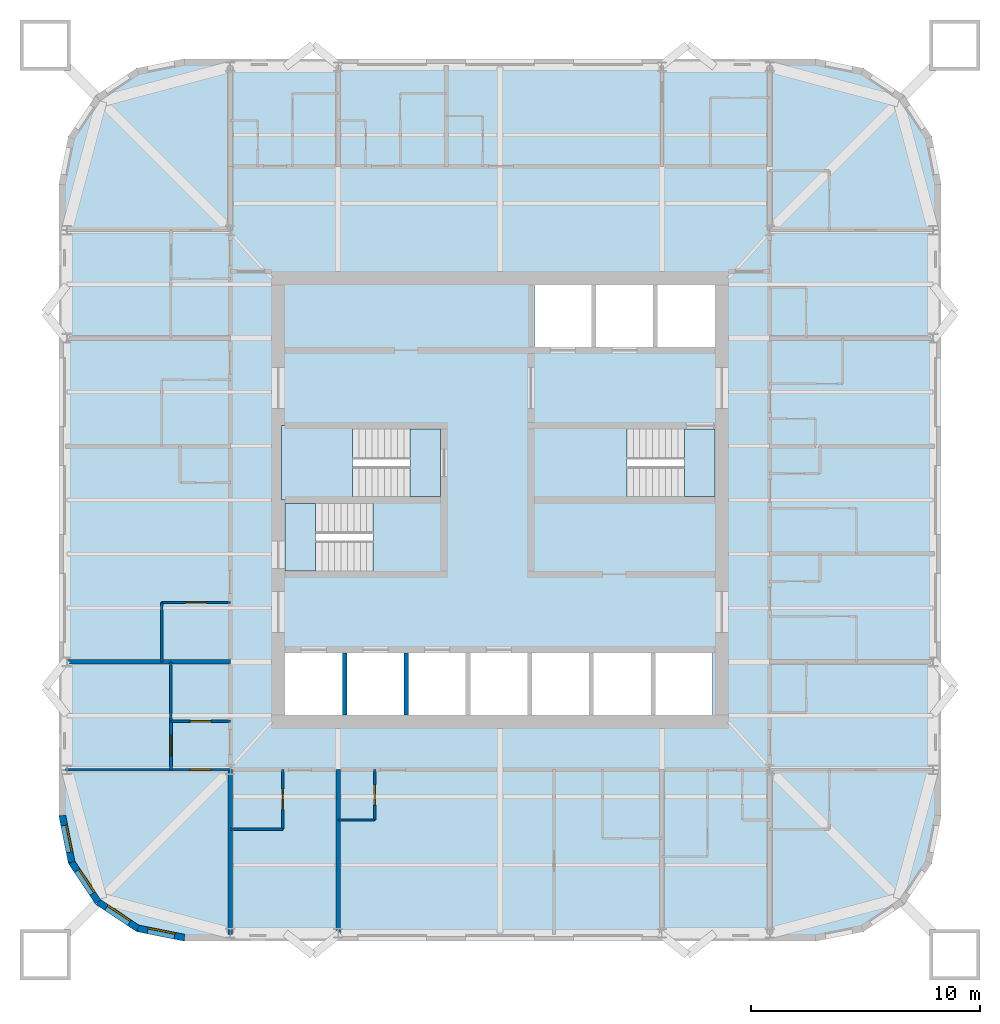
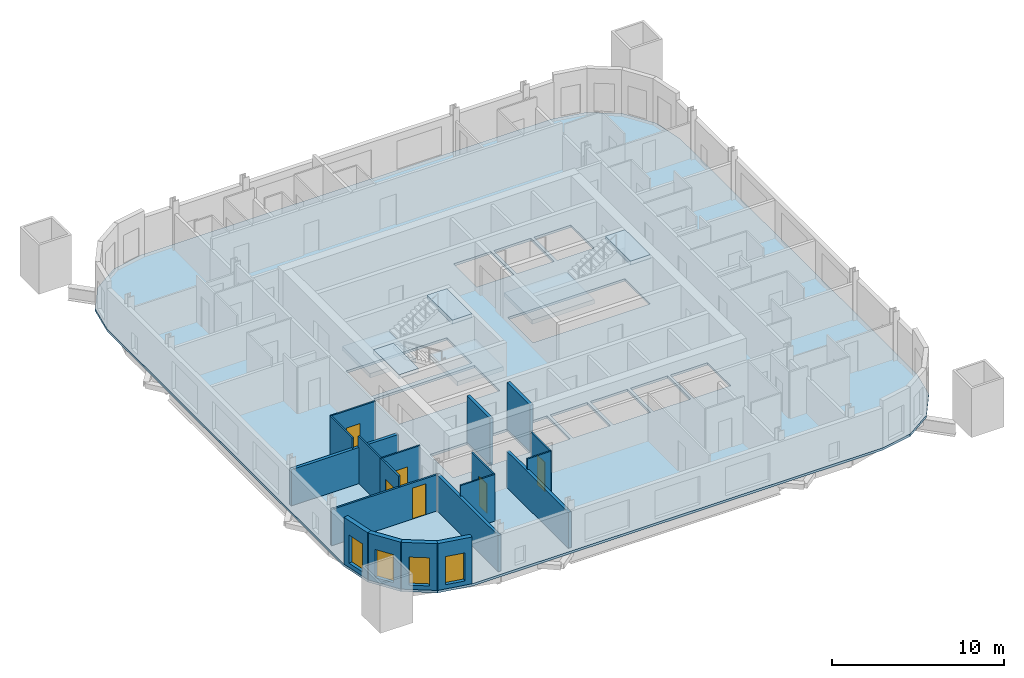
# One storey, part 2 of 9: 19 walls, 7 slabs, 6 doors, 4 windows, 10 openings, 3 elements without a shape of their own.
"""IFC4 building model written with IfcOpenShell, lengths in metres."""

from ifc_helpers import new_model, si_unit, direction, frame, frame_2d, origin, place, context, subcontext, project, spatial, polyline, rectangle, outline, extrude, material, layer, layer_set, type_object, element, fill, aggregate, save


model = new_model("IFC4")

# Units and contexts
model_context = context("Model", 3, precision=1e-05, world=origin(), true_north=direction((0.0, 1.0)))
body_context = subcontext(model_context, "Body", "Model", "MODEL_VIEW")
ifc_project = project(units=[si_unit("LENGTHUNIT", "METRE"), si_unit("AREAUNIT", "SQUARE_METRE"), si_unit("VOLUMEUNIT", "CUBIC_METRE"), si_unit("PLANEANGLEUNIT", "RADIAN"), si_unit("MASSUNIT", "GRAM", prefix="KILO")], contexts=[model_context])

# Site, building, storey
site_placement = place(None, origin())
site = spatial("IfcSite", under=ifc_project, at=site_placement, CompositionType="ELEMENT")
building_placement = place(site_placement, origin())
building = spatial("IfcBuilding", under=site, at=building_placement, Name="Turquesa Mirador Hotel Tower", CompositionType="ELEMENT")
storey_placement = place(building_placement, frame((0.0, 0.0, 203.800048828125)))
storey = spatial("IfcBuildingStorey", under=building, at=storey_placement, Name="L55", CompositionType="ELEMENT", Elevation=203.800048828125)

# Slab
ifc_material_1 = material(Name="Concrete C28/35", Category="concrete")
ifc_layer_1 = layer(ifc_material_1, 0.169921875)
ifc_layer_set_1 = layer_set([ifc_layer_1], Name="COMPOSITE FLOOR SLAB 170")
slab_type_1 = type_object("IfcSlabType", Name="COMPOSITE FLOOR SLAB 170", PredefinedType="FLOOR", material=ifc_layer_set_1)
slab_1_placement = place(storey_placement, frame((0.0, 0.0, -0.170166015625)))
element("IfcSlab", 1, at=slab_1_placement, inside=storey, type_object=slab_type_1, Name="Floor slab L55", PredefinedType="FLOOR", context=body_context, shape_type="SweptSolid", body=[
    extrude(outline(polyline([(68.800048828125, 25.699951171875), (70.90478515625, 26.11865234375), (72.689208984375, 27.310791015625), (73.88134765625, 29.09521484375), (74.300048828125, 31.199951171875), (74.300048828125, 58.800048828125), (73.88134765625, 60.90478515625), (72.689208984375, 62.689208984375), (70.90478515625, 63.88134765625), (68.800048828125, 64.300048828125), (41.199951171875, 64.300048828125), (39.09521484375, 63.88134765625), (37.310791015625, 62.689208984375), (36.11865234375, 60.90478515625), (35.699951171875, 58.800048828125), (35.699951171875, 31.199951171875), (36.11865234375, 29.09521484375), (37.310791015625, 27.310791015625), (39.09521484375, 26.11865234375), (41.199951171875, 25.699951171875), (68.800048828125, 25.699951171875)]), holes=[polyline([(56.5, 51.699951171875), (59.0, 51.699951171875), (59.0, 54.39990234375), (56.5, 54.39990234375), (56.5, 51.699951171875)]), polyline([(59.199951171875, 51.699951171875), (61.699951171875, 51.699951171875), (61.699951171875, 54.39990234375), (59.199951171875, 54.39990234375), (59.199951171875, 51.699951171875)]), polyline([(45.60009765625, 35.60009765625), (48.10009765625, 35.60009765625), (48.10009765625, 38.300048828125), (45.60009765625, 38.300048828125), (45.60009765625, 35.60009765625)]), polyline([(48.300048828125, 35.60009765625), (50.800048828125, 35.60009765625), (50.800048828125, 38.300048828125), (48.300048828125, 38.300048828125), (48.300048828125, 35.60009765625)]), polyline([(51.0, 35.60009765625), (53.5, 35.60009765625), (53.5, 38.300048828125), (51.0, 38.300048828125), (51.0, 35.60009765625)]), polyline([(53.699951171875, 35.60009765625), (56.199951171875, 35.60009765625), (56.199951171875, 38.300048828125), (53.699951171875, 38.300048828125), (53.699951171875, 35.60009765625)]), polyline([(56.39990234375, 35.60009765625), (58.89990234375, 35.60009765625), (58.89990234375, 38.300048828125), (56.39990234375, 38.300048828125), (56.39990234375, 35.60009765625)]), polyline([(59.10009765625, 35.60009765625), (61.60009765625, 35.60009765625), (61.60009765625, 38.300048828125), (59.10009765625, 38.300048828125), (59.10009765625, 35.60009765625)]), polyline([(61.800048828125, 35.60009765625), (64.300048828125, 35.60009765625), (64.300048828125, 38.300048828125), (61.800048828125, 38.300048828125), (61.800048828125, 35.60009765625)]), polyline([(45.60009765625, 45.14990234375), (52.39990234375, 45.14990234375), (52.39990234375, 48.10009765625), (45.60009765625, 48.10009765625), (45.60009765625, 45.14990234375)]), polyline([(45.60009765625, 41.89990234375), (52.39990234375, 41.89990234375), (52.39990234375, 44.85009765625), (45.60009765625, 44.85009765625), (45.60009765625, 41.89990234375)]), polyline([(56.5, 45.14990234375), (64.39990234375, 45.14990234375), (64.39990234375, 48.10009765625), (56.5, 48.10009765625), (56.5, 45.14990234375)]), polyline([(61.89990234375, 51.699951171875), (64.39990234375, 51.699951171875), (64.39990234375, 54.39990234375), (61.89990234375, 54.39990234375), (61.89990234375, 51.699951171875)])]), origin(), (0.0, 0.0, 1.0), 0.170166015625),
])

# Stair, slabs
ifc_material_2 = material(Name="Concrete C35/45", Category="concrete")
stair_type = type_object("IfcStairType", Name="ESCAPE STAIR CORE", PredefinedType="HALF_TURN_STAIR", material=ifc_material_2)
stair_1_placement = place(storey_placement, origin())
stair_1 = element("IfcStair", 2, at=stair_1_placement, inside=storey, type_object=stair_type, Name="Stair ST1 L55 to L56", PredefinedType="HALF_TURN_STAIR")
ifc_material_3 = material(Name="Concrete C35/45", Category="concrete")
ifc_layer_2 = layer(ifc_material_3, 0.300048828125)
ifc_layer_set_2 = layer_set([ifc_layer_2], Name="STAIR LANDING 300")
slab_type_2 = type_object("IfcSlabType", Name="STAIR LANDING 300", PredefinedType="LANDING", material=ifc_layer_set_2)
slab_2_placement = place(storey_placement, frame((0.0, 0.0, 1.449951171875)))
slab_2 = element("IfcSlab", 3, at=slab_2_placement, type_object=slab_type_2, Name="ST1 landing 1", PredefinedType="LANDING", context=body_context, shape_type="SweptSolid", body=[
    extrude(outline(polyline([(45.449951171875, 45.0), (48.550048828125, 45.0), (48.550048828125, 48.25), (45.449951171875, 48.25), (45.449951171875, 45.0)])), origin(), (0.0, 0.0, 1.0), 0.300048828125),
])
slab_3_placement = place(storey_placement, frame((0.0, 0.0, 3.199951171875)))
slab_3 = element("IfcSlab", 4, at=slab_3_placement, type_object=slab_type_2, Name="ST1 landing 2", PredefinedType="LANDING", context=body_context, shape_type="SweptSolid", body=[
    extrude(outline(polyline([(51.070068359375, 45.14990234375), (52.39990234375, 45.14990234375), (52.39990234375, 48.10009765625), (51.070068359375, 48.10009765625), (51.070068359375, 45.14990234375)])), origin(), (0.0, 0.0, 1.0), 0.300048828125),
])
aggregate(stair_1, [slab_2, slab_3])

stair_2_placement = place(storey_placement, origin())
stair_2 = element("IfcStair", 5, at=stair_2_placement, inside=storey, type_object=stair_type, Name="Stair ST2 L55 to L56", PredefinedType="HALF_TURN_STAIR")
slab_4_placement = place(storey_placement, frame((0.0, 0.0, 1.449951171875)))
slab_4 = element("IfcSlab", 6, at=slab_4_placement, type_object=slab_type_2, Name="ST2 landing 1", PredefinedType="LANDING", context=body_context, shape_type="SweptSolid", body=[
    extrude(outline(polyline([(52.550048828125, 45.0), (49.449951171875, 45.0), (49.449951171875, 41.75), (52.550048828125, 41.75), (52.550048828125, 45.0)])), origin(), (0.0, 0.0, 1.0), 0.300048828125),
])
slab_5_placement = place(storey_placement, frame((0.0, 0.0, 3.199951171875)))
slab_5 = element("IfcSlab", 7, at=slab_5_placement, type_object=slab_type_2, Name="ST2 landing 2", PredefinedType="LANDING", context=body_context, shape_type="SweptSolid", body=[
    extrude(outline(polyline([(46.929931640625, 44.85009765625), (45.60009765625, 44.85009765625), (45.60009765625, 41.89990234375), (46.929931640625, 41.89990234375), (46.929931640625, 44.85009765625)])), origin(), (0.0, 0.0, 1.0), 0.300048828125),
])
aggregate(stair_2, [slab_4, slab_5])

stair_3_placement = place(storey_placement, origin())
stair_3 = element("IfcStair", 8, at=stair_3_placement, inside=storey, type_object=stair_type, Name="Stair ST3 L55 to L56", PredefinedType="HALF_TURN_STAIR")
slab_6_placement = place(storey_placement, frame((0.0, 0.0, 1.449951171875)))
slab_6 = element("IfcSlab", 9, at=slab_6_placement, type_object=slab_type_2, Name="ST3 landing 1", PredefinedType="LANDING", context=body_context, shape_type="SweptSolid", body=[
    extrude(outline(polyline([(56.35009765625, 45.0), (60.550048828125, 45.0), (60.550048828125, 48.25), (56.35009765625, 48.25), (56.35009765625, 45.0)])), origin(), (0.0, 0.0, 1.0), 0.300048828125),
])
slab_7_placement = place(storey_placement, frame((0.0, 0.0, 3.199951171875)))
slab_7 = element("IfcSlab", 10, at=slab_7_placement, type_object=slab_type_2, Name="ST3 landing 2", PredefinedType="LANDING", context=body_context, shape_type="SweptSolid", body=[
    extrude(outline(polyline([(63.070068359375, 45.14990234375), (64.39990234375, 45.14990234375), (64.39990234375, 48.10009765625), (63.070068359375, 48.10009765625), (63.070068359375, 45.14990234375)])), origin(), (0.0, 0.0, 1.0), 0.300048828125),
])
aggregate(stair_3, [slab_6, slab_7])

# Walls
ifc_material_4 = material(Name="Gypsum board on steel studs", Category="steel")
ifc_layer_3 = layer(ifc_material_4, 0.10009765625)
ifc_layer_set_3 = layer_set([ifc_layer_3], Name="BATHROOM WALL 100")
wall_type_1 = type_object("IfcWallType", Name="BATHROOM WALL 100", PredefinedType="PARTITIONING", material=ifc_layer_set_3)
wall_1_placement = place(storey_placement, frame((47.919921875, 31.0, 0.0), z_axis=(0.0, 0.0, 1.0), x_axis=(1.0, 0.0, 0.0)))
element("IfcWall", 11, at=wall_1_placement, inside=storey, type_object=wall_type_1, Name="Partition L55 006", PredefinedType="PARTITIONING", context=body_context, shape_type="SweptSolid", body=[
    extrude(rectangle(XDim=1.60009765625, YDim=0.10009765625, at=frame_2d((0.800048828125, 0.0))), origin(), (0.0, 0.0, 1.0), 3.329833984375),
])
wall_2_placement = place(storey_placement, frame((43.199951171875, 30.60009765625, 0.0), z_axis=(0.0, 0.0, 1.0), x_axis=(1.0, 0.0, 0.0)))
element("IfcWall", 12, at=wall_2_placement, inside=storey, type_object=wall_type_1, Name="Partition L55 008", PredefinedType="PARTITIONING", context=body_context, shape_type="SweptSolid", body=[
    extrude(rectangle(XDim=2.300048828125, YDim=0.10009765625, at=frame_2d((1.14990234375, 0.0))), origin(), (0.0, 0.0, 1.0), 3.329833984375),
])

# Wall, opening, door
wall_3_placement = place(storey_placement, frame((40.199951171875, 40.52001953125, 0.0), z_axis=(0.0, 0.0, 1.0), x_axis=(1.0, 0.0, 0.0)))
wall_3 = element("IfcWall", 13, at=wall_3_placement, inside=storey, type_object=wall_type_1, Name="Partition L55 014", PredefinedType="PARTITIONING", context=body_context, shape_type="SweptSolid", body=[
    extrude(rectangle(XDim=3.0, YDim=0.10009765625, at=frame_2d((1.5, 0.0))), origin(), (0.0, 0.0, 1.0), 3.329833984375),
])
opening_1_placement = place(wall_3_placement, frame((1.050048828125, 0.0, 0.0)))
opening_1 = element("IfcOpeningElement", 14, at=opening_1_placement, cuts=wall_3, Name="Opening D02", PredefinedType="OPENING", context=body_context, shape_type="SweptSolid", body=[
    extrude(rectangle(XDim=0.89990234375, YDim=2.10009765625, at=frame_2d((0.449951171875, 1.050048828125))), frame((0.0, 0.06005859375, 0.0), z_axis=(0.0, -1.0, 0.0), x_axis=(1.0, 0.0, 0.0)), (0.0, 0.0, 1.0), 0.1201171875),
])
ifc_material_5 = material(Name="Timber veneered door", Category="wood")
door_type_1 = type_object("IfcDoorType", Name="DOOR 900X2100 EN-SUITE", OperationType="SINGLE_SWING_RIGHT", PredefinedType="DOOR", material=ifc_material_5)
door_1_placement = place(opening_1_placement, origin())
door_1 = element("IfcDoor", 15, at=door_1_placement, inside=storey, type_object=door_type_1, Name="Door 5510B", OperationType="SINGLE_SWING_RIGHT", OverallHeight=2.10009765625, OverallWidth=0.89990234375, PredefinedType="DOOR", context=body_context, shape_type="SweptSolid", body=[
    extrude(rectangle(XDim=0.89990234375, YDim=2.10009765625, at=frame_2d((0.449951171875, 1.050048828125))), frame((0.0, 0.02490234375, 0.0), z_axis=(0.0, -1.0, 0.0), x_axis=(1.0, 0.0, 0.0)), (0.0, 0.0, 1.0), 0.050048828125),
])
fill(opening_1, door_1)

wall_4_placement = place(storey_placement, frame((40.60009765625, 35.320068359375, 0.0), z_axis=(0.0, 0.0, 1.0), x_axis=(1.0, 0.0, 0.0)))
wall_4 = element("IfcWall", 16, at=wall_4_placement, inside=storey, type_object=wall_type_1, Name="Partition L55 019", PredefinedType="PARTITIONING", context=body_context, shape_type="SweptSolid", body=[
    extrude(rectangle(XDim=2.599853515625, YDim=0.10009765625, at=frame_2d((1.2998046875, 0.0))), origin(), (0.0, 0.0, 1.0), 3.329833984375),
])
opening_2_placement = place(wall_4_placement, frame((0.85009765625, 0.0, 0.0)))
opening_2 = element("IfcOpeningElement", 17, at=opening_2_placement, cuts=wall_4, Name="Opening D02", PredefinedType="OPENING", context=body_context, shape_type="SweptSolid", body=[
    extrude(rectangle(XDim=0.89990234375, YDim=2.10009765625, at=frame_2d((0.449951171875, 1.050048828125))), frame((0.0, 0.06005859375, 0.0), z_axis=(0.0, -1.0, 0.0), x_axis=(1.0, 0.0, 0.0)), (0.0, 0.0, 1.0), 0.1201171875),
])
door_2_placement = place(opening_2_placement, origin())
door_2 = element("IfcDoor", 18, at=door_2_placement, inside=storey, type_object=door_type_1, Name="Door 5514B", OperationType="SINGLE_SWING_RIGHT", OverallHeight=2.10009765625, OverallWidth=0.89990234375, PredefinedType="DOOR", context=body_context, shape_type="SweptSolid", body=[
    extrude(rectangle(XDim=0.89990234375, YDim=2.10009765625, at=frame_2d((0.449951171875, 1.050048828125))), frame((0.0, 0.02490234375, 0.0), z_axis=(0.0, -1.0, 0.0), x_axis=(1.0, 0.0, 0.0)), (0.0, 0.0, 1.0), 0.050048828125),
])
fill(opening_2, door_2)

# Walls
wall_5_placement = place(storey_placement, frame((40.60009765625, 35.320068359375, 0.0), z_axis=(0.0, 0.0, 1.0), x_axis=(0.0, 1.0, 0.0)))
element("IfcWall", 19, at=wall_5_placement, inside=storey, type_object=wall_type_1, Name="Partition L55 051", PredefinedType="PARTITIONING", context=body_context, shape_type="SweptSolid", body=[
    extrude(rectangle(XDim=2.599853515625, YDim=0.10009765625, at=frame_2d((1.2998046875, 0.0))), origin(), (0.0, 0.0, 1.0), 3.329833984375),
])
wall_6_placement = place(storey_placement, frame((40.199951171875, 37.919921875, 0.0), z_axis=(0.0, 0.0, 1.0), x_axis=(0.0, 1.0, 0.0)))
element("IfcWall", 20, at=wall_6_placement, inside=storey, type_object=wall_type_1, Name="Partition L55 055", PredefinedType="PARTITIONING", context=body_context, shape_type="SweptSolid", body=[
    extrude(rectangle(XDim=2.60009765625, YDim=0.10009765625, at=frame_2d((1.300048828125, 0.0))), origin(), (0.0, 0.0, 1.0), 3.329833984375),
])

# Wall, opening, door
wall_7_placement = place(storey_placement, frame((49.52001953125, 31.0, 0.0), z_axis=(0.0, 0.0, 1.0), x_axis=(0.0, 1.0, 0.0)))
wall_7 = element("IfcWall", 21, at=wall_7_placement, inside=storey, type_object=wall_type_1, Name="Partition L55 059", PredefinedType="PARTITIONING", context=body_context, shape_type="SweptSolid", body=[
    extrude(rectangle(XDim=2.199951171875, YDim=0.10009765625, at=frame_2d((1.10009765625, 0.0))), origin(), (0.0, 0.0, 1.0), 3.329833984375),
])
opening_3_placement = place(wall_7_placement, frame((0.64990234375, 0.0, 0.0)))
opening_3 = element("IfcOpeningElement", 22, at=opening_3_placement, cuts=wall_7, Name="Opening D06", PredefinedType="OPENING", context=body_context, shape_type="SweptSolid", body=[
    extrude(rectangle(XDim=0.89990234375, YDim=2.10009765625, at=frame_2d((0.449951171875, 1.050048828125))), frame((0.0, 0.06005859375, 0.0), z_axis=(0.0, -1.0, 0.0), x_axis=(1.0, 0.0, 0.0)), (0.0, 0.0, 1.0), 0.1201171875),
])
ifc_material_6 = material(Name="Laminate door", Category="wood")
door_type_2 = type_object("IfcDoorType", Name="DOOR 900X2100 WC", OperationType="SINGLE_SWING_LEFT", PredefinedType="DOOR", material=ifc_material_6)
door_3_placement = place(opening_3_placement, origin())
door_3 = element("IfcDoor", 23, at=door_3_placement, inside=storey, type_object=door_type_2, Name="Door 5505W", OperationType="SINGLE_SWING_LEFT", OverallHeight=2.10009765625, OverallWidth=0.89990234375, PredefinedType="DOOR", context=body_context, shape_type="SweptSolid", body=[
    extrude(rectangle(XDim=0.89990234375, YDim=2.10009765625, at=frame_2d((0.449951171875, 1.050048828125))), frame((0.0, 0.02490234375, 0.0), z_axis=(0.0, -1.0, 0.0), x_axis=(1.0, 0.0, 0.0)), (0.0, 0.0, 1.0), 0.050048828125),
])
fill(opening_3, door_3)

wall_8_placement = place(storey_placement, frame((45.5, 30.60009765625, 0.0), z_axis=(0.0, 0.0, 1.0), x_axis=(0.0, 1.0, 0.0)))
wall_8 = element("IfcWall", 24, at=wall_8_placement, inside=storey, type_object=wall_type_1, Name="Partition L55 064", PredefinedType="PARTITIONING", context=body_context, shape_type="SweptSolid", body=[
    extrude(rectangle(XDim=2.599853515625, YDim=0.10009765625, at=frame_2d((1.2998046875, 0.0))), origin(), (0.0, 0.0, 1.0), 3.329833984375),
])
opening_4_placement = place(wall_8_placement, frame((0.85009765625, 0.0, 0.0)))
opening_4 = element("IfcOpeningElement", 25, at=opening_4_placement, cuts=wall_8, Name="Opening D02", PredefinedType="OPENING", context=body_context, shape_type="SweptSolid", body=[
    extrude(rectangle(XDim=0.89990234375, YDim=2.10009765625, at=frame_2d((0.449951171875, 1.050048828125))), frame((0.0, 0.06005859375, 0.0), z_axis=(0.0, -1.0, 0.0), x_axis=(1.0, 0.0, 0.0)), (0.0, 0.0, 1.0), 0.1201171875),
])
door_4_placement = place(opening_4_placement, origin())
door_4 = element("IfcDoor", 26, at=door_4_placement, inside=storey, type_object=door_type_1, Name="Door 5504B", OperationType="SINGLE_SWING_RIGHT", OverallHeight=2.10009765625, OverallWidth=0.89990234375, PredefinedType="DOOR", context=body_context, shape_type="SweptSolid", body=[
    extrude(rectangle(XDim=0.89990234375, YDim=2.10009765625, at=frame_2d((0.449951171875, 1.050048828125))), frame((0.0, 0.02490234375, 0.0), z_axis=(0.0, -1.0, 0.0), x_axis=(1.0, 0.0, 0.0)), (0.0, 0.0, 1.0), 0.050048828125),
])
fill(opening_4, door_4)

# Wall, opening, window
ifc_material_7 = material(Name="Limestone cladding on concrete block", Category="masonry")
ifc_layer_4 = layer(ifc_material_7, 0.300048828125)
ifc_layer_set_4 = layer_set([ifc_layer_4], Name="FACADE WALL 300 STONE SCREEN")
wall_type_2 = type_object("IfcWallType", Name="FACADE WALL 300 STONE SCREEN", PredefinedType="SOLIDWALL", material=ifc_layer_set_4)
wall_9_placement = place(storey_placement, frame((35.85009765625, 31.199951171875, 0.0), z_axis=(0.0, 0.0, 1.0), x_axis=(0.195081421501, -0.980787050784, 0.0)))
wall_9 = element("IfcWall", 27, at=wall_9_placement, inside=storey, type_object=wall_type_2, Name="Facade wall L55 15", PredefinedType="SOLIDWALL", context=body_context, shape_type="SweptSolid", body=[
    extrude(rectangle(XDim=2.08740234375, YDim=0.300048828125, at=frame_2d((1.043701171875, 0.0))), origin(), (0.0, 0.0, 1.0), 3.329833984375),
])
opening_5_placement = place(wall_9_placement, frame((0.443603515625, 0.0, 0.300048828125)))
opening_5 = element("IfcOpeningElement", 28, at=opening_5_placement, cuts=wall_9, Name="Opening WN4", PredefinedType="OPENING", context=body_context, shape_type="SweptSolid", body=[
    extrude(rectangle(XDim=1.199951171875, YDim=2.0, at=frame_2d((0.60009765625, 1.0))), frame((0.0, 0.159912109375, 0.0), z_axis=(0.0, -1.0, 0.0), x_axis=(1.0, 0.0, 0.0)), (0.0, 0.0, 1.0), 0.320068359375),
])
ifc_material_8 = material(Name="Ceramic-fritted laminated glass", Category="glass")
window_type = type_object("IfcWindowType", Name="FRITTED CORNER WINDOW 1200X2000", PartitioningType="DOUBLE_PANEL_HORIZONTAL", PredefinedType="WINDOW", material=ifc_material_8)
window_1_placement = place(opening_5_placement, origin())
window_1 = element("IfcWindow", 29, at=window_1_placement, inside=storey, type_object=window_type, Name="Window L55", OverallHeight=2.0, OverallWidth=1.199951171875, PartitioningType="SINGLE_PANEL", PredefinedType="WINDOW", context=body_context, shape_type="SweptSolid", body=[
    extrude(rectangle(XDim=1.199951171875, YDim=2.0, at=frame_2d((0.60009765625, 1.0))), frame((0.0, 0.130126953125, 0.0), z_axis=(0.0, -1.0, 0.0), x_axis=(1.0, 0.0, 0.0)), (0.0, 0.0, 1.0), 0.06005859375),
])
fill(opening_5, window_1)

wall_10_placement = place(storey_placement, frame((36.25732421875, 29.152587890625, 0.0), z_axis=(0.0, 0.0, 1.0), x_axis=(0.555563607591, -0.831474039234, 0.0)))
wall_10 = element("IfcWall", 30, at=wall_10_placement, inside=storey, type_object=wall_type_2, Name="Facade wall L55 16", PredefinedType="SOLIDWALL", context=body_context, shape_type="SweptSolid", body=[
    extrude(rectangle(XDim=2.08740234375, YDim=0.300048828125, at=frame_2d((1.043701171875, 0.0))), origin(), (0.0, 0.0, 1.0), 3.329833984375),
])
opening_6_placement = place(wall_10_placement, frame((0.443603515625, 0.0, 0.300048828125)))
opening_6 = element("IfcOpeningElement", 31, at=opening_6_placement, cuts=wall_10, Name="Opening WN4", PredefinedType="OPENING", context=body_context, shape_type="SweptSolid", body=[
    extrude(rectangle(XDim=1.199951171875, YDim=2.0, at=frame_2d((0.60009765625, 1.0))), frame((0.0, 0.159912109375, 0.0), z_axis=(0.0, -1.0, 0.0), x_axis=(1.0, 0.0, 0.0)), (0.0, 0.0, 1.0), 0.320068359375),
])
window_2_placement = place(opening_6_placement, origin())
window_2 = element("IfcWindow", 32, at=window_2_placement, inside=storey, type_object=window_type, Name="Window L55", OverallHeight=2.0, OverallWidth=1.199951171875, PartitioningType="SINGLE_PANEL", PredefinedType="WINDOW", context=body_context, shape_type="SweptSolid", body=[
    extrude(rectangle(XDim=1.199951171875, YDim=2.0, at=frame_2d((0.60009765625, 1.0))), frame((0.0, 0.130126953125, 0.0), z_axis=(0.0, -1.0, 0.0), x_axis=(1.0, 0.0, 0.0)), (0.0, 0.0, 1.0), 0.06005859375),
])
fill(opening_6, window_2)

wall_11_placement = place(storey_placement, frame((37.4169921875, 27.4169921875, 0.0), z_axis=(0.0, 0.0, 1.0), x_axis=(0.831474039234, -0.555563607591, 0.0)))
wall_11 = element("IfcWall", 33, at=wall_11_placement, inside=storey, type_object=wall_type_2, Name="Facade wall L55 17", PredefinedType="SOLIDWALL", context=body_context, shape_type="SweptSolid", body=[
    extrude(rectangle(XDim=2.08740234375, YDim=0.300048828125, at=frame_2d((1.043701171875, 0.0))), origin(), (0.0, 0.0, 1.0), 3.329833984375),
])
opening_7_placement = place(wall_11_placement, frame((0.443603515625, 0.0, 0.300048828125)))
opening_7 = element("IfcOpeningElement", 34, at=opening_7_placement, cuts=wall_11, Name="Opening WN4", PredefinedType="OPENING", context=body_context, shape_type="SweptSolid", body=[
    extrude(rectangle(XDim=1.199951171875, YDim=2.0, at=frame_2d((0.60009765625, 1.0))), frame((0.0, 0.159912109375, 0.0), z_axis=(0.0, -1.0, 0.0), x_axis=(1.0, 0.0, 0.0)), (0.0, 0.0, 1.0), 0.320068359375),
])
window_3_placement = place(opening_7_placement, origin())
window_3 = element("IfcWindow", 35, at=window_3_placement, inside=storey, type_object=window_type, Name="Window L55", OverallHeight=2.0, OverallWidth=1.199951171875, PartitioningType="SINGLE_PANEL", PredefinedType="WINDOW", context=body_context, shape_type="SweptSolid", body=[
    extrude(rectangle(XDim=1.199951171875, YDim=2.0, at=frame_2d((0.60009765625, 1.0))), frame((0.0, 0.130126953125, 0.0), z_axis=(0.0, -1.0, 0.0), x_axis=(1.0, 0.0, 0.0)), (0.0, 0.0, 1.0), 0.06005859375),
])
fill(opening_7, window_3)

wall_12_placement = place(storey_placement, frame((39.152587890625, 26.25732421875, 0.0), z_axis=(0.0, 0.0, 1.0), x_axis=(0.980787050784, -0.195081421501, 0.0)))
wall_12 = element("IfcWall", 36, at=wall_12_placement, inside=storey, type_object=wall_type_2, Name="Facade wall L55 18", PredefinedType="SOLIDWALL", context=body_context, shape_type="SweptSolid", body=[
    extrude(rectangle(XDim=2.08740234375, YDim=0.300048828125, at=frame_2d((1.043701171875, 0.0))), origin(), (0.0, 0.0, 1.0), 3.329833984375),
])
opening_8_placement = place(wall_12_placement, frame((0.443603515625, 0.0, 0.300048828125)))
opening_8 = element("IfcOpeningElement", 37, at=opening_8_placement, cuts=wall_12, Name="Opening WN4", PredefinedType="OPENING", context=body_context, shape_type="SweptSolid", body=[
    extrude(rectangle(XDim=1.199951171875, YDim=2.0, at=frame_2d((0.60009765625, 1.0))), frame((0.0, 0.159912109375, 0.0), z_axis=(0.0, -1.0, 0.0), x_axis=(1.0, 0.0, 0.0)), (0.0, 0.0, 1.0), 0.320068359375),
])
window_4_placement = place(opening_8_placement, origin())
window_4 = element("IfcWindow", 38, at=window_4_placement, inside=storey, type_object=window_type, Name="Window L55", OverallHeight=2.0, OverallWidth=1.199951171875, PartitioningType="SINGLE_PANEL", PredefinedType="WINDOW", context=body_context, shape_type="SweptSolid", body=[
    extrude(rectangle(XDim=1.199951171875, YDim=2.0, at=frame_2d((0.60009765625, 1.0))), frame((0.0, 0.130126953125, 0.0), z_axis=(0.0, -1.0, 0.0), x_axis=(1.0, 0.0, 0.0)), (0.0, 0.0, 1.0), 0.06005859375),
])
fill(opening_8, window_4)

# Walls
ifc_material_9 = material(Name="Fire-rated gypsum shaft wall on steel studs", Category="steel")
ifc_layer_5 = layer(ifc_material_9, 0.199951171875)
ifc_layer_set_5 = layer_set([ifc_layer_5], Name="LIFT SHAFT DIVIDER 200")
wall_type_3 = type_object("IfcWallType", Name="LIFT SHAFT DIVIDER 200", PredefinedType="PARTITIONING", material=ifc_layer_set_5)
for number, where, z_axis, x_axis, name in (
    (39, (48.199951171875, 35.60009765625, 0.0), (0.0, 0.0, 1.0), (0.0, 1.0, 0.0), "Lift shaft divider"),
    (40, (50.89990234375, 35.60009765625, 0.0), (0.0, 0.0, 1.0), (0.0, 1.0, 0.0), "Lift shaft divider"),
):
    element("IfcWall", number, at=place(storey_placement, frame(where, z_axis=z_axis, x_axis=x_axis)), inside=storey, type_object=wall_type_3, Name=name, PredefinedType="PARTITIONING", context=body_context, shape_type="SweptSolid", body=[
        extrude(rectangle(XDim=2.699951171875, YDim=0.199951171875, at=frame_2d((1.35009765625, 0.0))), origin(), (0.0, 0.0, 1.0), 3.329833984375),
    ])
ifc_material_10 = material(Name="Fire-rated gypsum board on steel studs", Category="steel")
ifc_layer_6 = layer(ifc_material_10, 0.199951171875)
ifc_layer_set_6 = layer_set([ifc_layer_6], Name="PARTY WALL 200")
wall_type_4 = type_object("IfcWallType", Name="PARTY WALL 200", PredefinedType="PARTITIONING", material=ifc_layer_set_6)
for number, where, z_axis, x_axis, name in (
    (41, (36.0, 37.919921875, 0.0), (0.0, 0.0, 1.0), (1.0, 0.0, 0.0), "Partition L55 016"),
    (42, (43.199951171875, 26.0, 0.0), (0.0, 0.0, 1.0), (0.0, 1.0, 0.0), "Partition L55 048"),
    (43, (47.919921875, 26.0, 0.0), (0.0, 0.0, 1.0), (0.0, 1.0, 0.0), "Partition L55 061"),
):
    element("IfcWall", number, at=place(storey_placement, frame(where, z_axis=z_axis, x_axis=x_axis)), inside=storey, type_object=wall_type_4, Name=name, PredefinedType="PARTITIONING", context=body_context, shape_type="SweptSolid", body=[
        extrude(rectangle(XDim=7.199951171875, YDim=0.199951171875, at=frame_2d((3.60009765625, 0.0))), origin(), (0.0, 0.0, 1.0), 2.572998046875),
    ])

# Wall, opening, door
ifc_material_11 = material(Name="Acoustic gypsum board on steel studs", Category="steel")
ifc_layer_7 = layer(ifc_material_11, 0.125)
ifc_layer_set_7 = layer_set([ifc_layer_7], Name="SUITE PARTITION 125")
wall_type_5 = type_object("IfcWallType", Name="SUITE PARTITION 125", PredefinedType="PARTITIONING", material=ifc_layer_set_7)
wall_13_placement = place(storey_placement, frame((36.0, 33.199951171875, 0.0), z_axis=(0.0, 0.0, 1.0), x_axis=(1.0, 0.0, 0.0)))
wall_13 = element("IfcWall", 44, at=wall_13_placement, inside=storey, type_object=wall_type_5, Name="Partition L55 004", PredefinedType="PARTITIONING", context=body_context, shape_type="SweptSolid", body=[
    extrude(rectangle(XDim=7.199951171875, YDim=0.125, at=frame_2d((3.60009765625, 0.0))), origin(), (0.0, 0.0, 1.0), 2.572998046875),
])
opening_9_placement = place(wall_13_placement, frame((5.449951171875, 0.0, 0.0)))
opening_9 = element("IfcOpeningElement", 45, at=opening_9_placement, cuts=wall_13, Name="Opening D17", PredefinedType="OPENING", context=body_context, shape_type="SweptSolid", body=[
    extrude(rectangle(XDim=0.89990234375, YDim=2.199951171875, at=frame_2d((0.449951171875, 1.10009765625))), frame((0.0, 0.072509765625, 0.0), z_axis=(0.0, -1.0, 0.0), x_axis=(1.0, 0.0, 0.0)), (0.0, 0.0, 1.0), 0.14501953125),
])
ifc_material_12 = material(Name="Timber veneered door", Category="wood")
door_type_3 = type_object("IfcDoorType", Name="DOOR 900X2200 SUITE INTERNAL", OperationType="SINGLE_SWING_LEFT", PredefinedType="DOOR", material=ifc_material_12)
door_5_placement = place(opening_9_placement, origin())
door_5 = element("IfcDoor", 46, at=door_5_placement, inside=storey, type_object=door_type_3, Name="Door 5514", OperationType="SINGLE_SWING_LEFT", OverallHeight=2.199951171875, OverallWidth=0.89990234375, PredefinedType="DOOR", context=body_context, shape_type="SweptSolid", body=[
    extrude(rectangle(XDim=0.89990234375, YDim=2.199951171875, at=frame_2d((0.449951171875, 1.10009765625))), frame((0.0, 0.02490234375, 0.0), z_axis=(0.0, -1.0, 0.0), x_axis=(1.0, 0.0, 0.0)), (0.0, 0.0, 1.0), 0.050048828125),
])
fill(opening_9, door_5)

wall_14_placement = place(storey_placement, frame((40.60009765625, 33.199951171875, 0.0), z_axis=(0.0, 0.0, 1.0), x_axis=(0.0, 1.0, 0.0)))
wall_14 = element("IfcWall", 47, at=wall_14_placement, inside=storey, type_object=wall_type_5, Name="Partition L55 053", PredefinedType="PARTITIONING", context=body_context, shape_type="SweptSolid", body=[
    extrude(rectangle(XDim=2.1201171875, YDim=0.125, at=frame_2d((1.06005859375, 0.0))), origin(), (0.0, 0.0, 1.0), 3.329833984375),
])
opening_10_placement = place(wall_14_placement, frame((0.610107421875, 0.0, 0.0)))
opening_10 = element("IfcOpeningElement", 48, at=opening_10_placement, cuts=wall_14, Name="Opening D17", PredefinedType="OPENING", context=body_context, shape_type="SweptSolid", body=[
    extrude(rectangle(XDim=0.89990234375, YDim=2.199951171875, at=frame_2d((0.449951171875, 1.10009765625))), frame((0.0, 0.072509765625, 0.0), z_axis=(0.0, -1.0, 0.0), x_axis=(1.0, 0.0, 0.0)), (0.0, 0.0, 1.0), 0.14501953125),
])
door_6_placement = place(opening_10_placement, origin())
door_6 = element("IfcDoor", 49, at=door_6_placement, inside=storey, type_object=door_type_3, Name="Door 5514R", OperationType="SINGLE_SWING_LEFT", OverallHeight=2.199951171875, OverallWidth=0.89990234375, PredefinedType="DOOR", context=body_context, shape_type="SweptSolid", body=[
    extrude(rectangle(XDim=0.89990234375, YDim=2.199951171875, at=frame_2d((0.449951171875, 1.10009765625))), frame((0.0, 0.02490234375, 0.0), z_axis=(0.0, -1.0, 0.0), x_axis=(1.0, 0.0, 0.0)), (0.0, 0.0, 1.0), 0.050048828125),
])
fill(opening_10, door_6)

save(model, "model.ifc")
